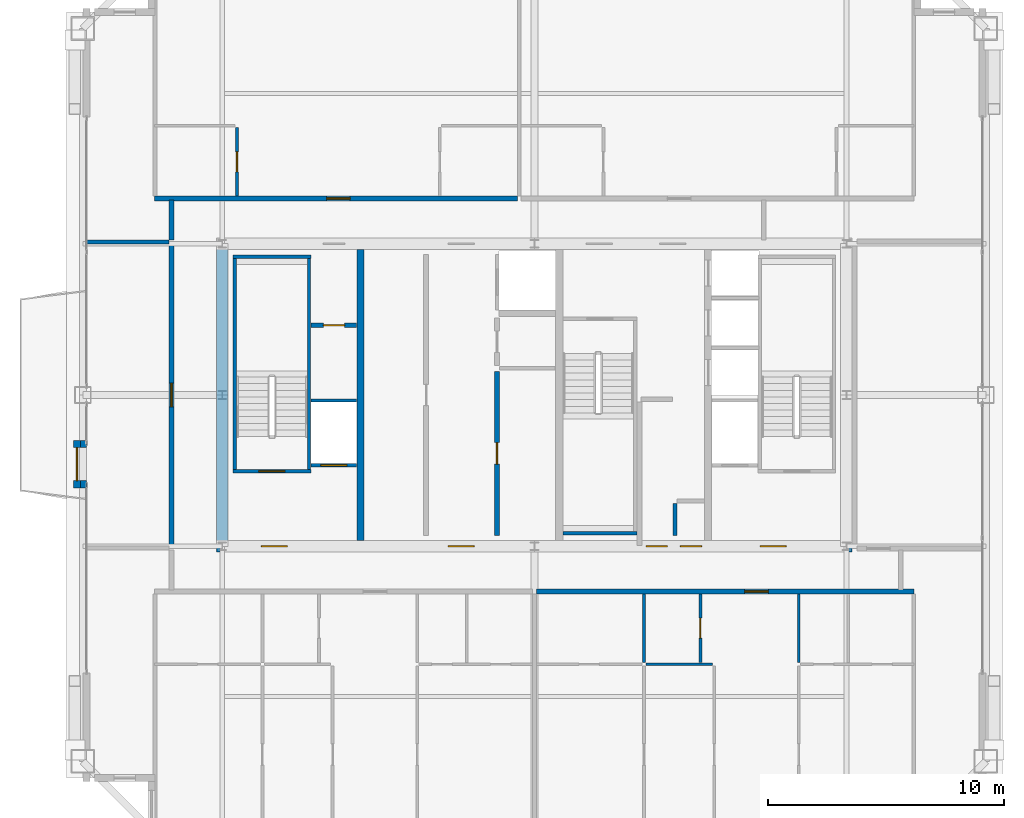
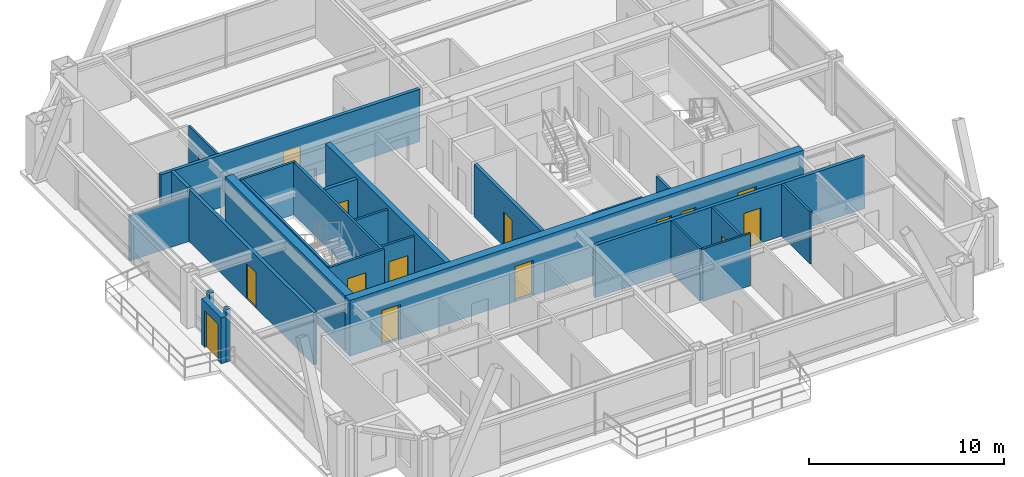
# One storey, part 29 of 33: 26 walls, 15 doors, 15 openings.
"""IFC4 building model written with IfcOpenShell, lengths in metres."""

from ifc_helpers import new_model, si_unit, direction, frame, frame_2d, origin, place, context, subcontext, project, spatial, rectangle, extrude, source, transform, mapped, material, layer, layer_set, type_object, element, fill, save


model = new_model("IFC4")

# Units and contexts
model_context = context("Model", 3, precision=1e-05, world=origin(), true_north=direction((0.0, 1.0)))
body_context = subcontext(model_context, "Body", "Model", "MODEL_VIEW")
ifc_project = project(units=[si_unit("LENGTHUNIT", "METRE"), si_unit("AREAUNIT", "SQUARE_METRE"), si_unit("VOLUMEUNIT", "CUBIC_METRE"), si_unit("PLANEANGLEUNIT", "RADIAN"), si_unit("MASSUNIT", "GRAM", prefix="KILO"), si_unit("THERMODYNAMICTEMPERATUREUNIT", "KELVIN"), si_unit("POWERUNIT", "WATT")], contexts=[model_context])

# Site, building, storey
site_placement = place(None, origin())
site = spatial("IfcSite", under=ifc_project, at=site_placement, CompositionType="ELEMENT")
building_placement = place(site_placement, origin())
building = spatial("IfcBuilding", under=site, at=building_placement, Name="Yuzanri Waterfront Tower", CompositionType="ELEMENT")
storey_placement = place(building_placement, frame((0.0, 0.0, 321.699951171875)))
storey = spatial("IfcBuildingStorey", under=building, at=storey_placement, Name="L86", CompositionType="ELEMENT", Elevation=321.699951171875)

# Wall, opening, door
ifc_material_1 = material(Name="Moisture-Resistant Gypsum Stud Wall", Category="gypsum")
ifc_layer_1 = layer(ifc_material_1, 0.1201171875)
ifc_layer_set_1 = layer_set([ifc_layer_1], Name="Moisture-Resistant Gypsum Stud Wall")
wall_type_1 = type_object("IfcWallType", Name="Bathroom and Kitchen Wet Partition 120", PredefinedType="PARTITIONING", material=ifc_layer_set_1)
wall_1_placement = place(storey_placement, frame((44.02197265625, 14.489990234375, 0.0), z_axis=(0.0, 0.0, 1.0), x_axis=(0.0, 1.0, 0.0)))
wall_1 = element("IfcWall", 1, at=wall_1_placement, inside=storey, type_object=wall_type_1, Name="L86 Partition UW-L86-HS2-SUB-2-E", PredefinedType="PARTITIONING", context=body_context, shape_type="SweptSolid", body=[
    extrude(rectangle(XDim=2.89990234375, YDim=0.1201171875, at=frame_2d((1.449951171875, 0.0))), origin(), (0.0, 0.0, 1.0), 3.280029296875),
])
opening_1_placement = place(wall_1_placement, frame((1.02490234375, 0.0, 0.0)))
opening_1 = element("IfcOpeningElement", 2, at=opening_1_placement, cuts=wall_1, Name="Opening ID-0850", PredefinedType="OPENING", context=body_context, shape_type="SweptSolid", body=[
    extrude(rectangle(XDim=0.85009765625, YDim=2.10009765625, at=frame_2d((0.425048828125, 1.050048828125))), frame((0.0, 0.074951171875, 0.0), z_axis=(0.0, -1.0, 0.0), x_axis=(1.0, 0.0, 0.0)), (0.0, 0.0, 1.0), 0.14990234375),
])
ifc_material_2 = material(Name="Moisture-Resistant Lacquered Timber", Category="wood")
door_type_1 = type_object("IfcDoorType", Name="En-Suite Bathroom and Kitchen Swing Door 850x2100", OperationType="NOTDEFINED", PredefinedType="DOOR", material=ifc_material_2)
shared_shape_1 = source(origin(), body_context, "Body", "SweptSolid", [
    extrude(rectangle(XDim=0.85009765625, YDim=2.10009765625, at=frame_2d((0.425048828125, 1.050048828125))), frame((0.0, 0.02490234375, 0.0), z_axis=(0.0, -1.0, 0.0), x_axis=(1.0, 0.0, 0.0)), (0.0, 0.0, 1.0), 0.050048828125),
])
door_1_placement = place(opening_1_placement, origin())
door_1 = element("IfcDoor", 3, at=door_1_placement, inside=storey, type_object=door_type_1, Name="L86 Suite Interior Room Door", OperationType="SINGLE_SWING_RIGHT", OverallHeight=2.10009765625, OverallWidth=0.85009765625, PredefinedType="DOOR", context=body_context, shape_type="MappedRepresentation", body=[
    mapped(shared_shape_1, transform((0.0, 0.0, 0.0), scale=1.0)),
])
fill(opening_1, door_1)

wall_2_placement = place(storey_placement, frame((24.419921875, 34.2099609375, 0.0), z_axis=(0.0, 0.0, 1.0), x_axis=(0.0, 1.0, 0.0)))
wall_2 = element("IfcWall", 4, at=wall_2_placement, inside=storey, type_object=wall_type_1, Name="L86 Partition UW-L86-HN1-SUB-1-E", PredefinedType="PARTITIONING", context=body_context, shape_type="SweptSolid", body=[
    extrude(rectangle(XDim=2.900146484375, YDim=0.1201171875, at=frame_2d((1.4501953125, 0.0))), origin(), (0.0, 0.0, 1.0), 3.280029296875),
])
opening_2_placement = place(wall_2_placement, frame((1.02490234375, 0.0, 0.0)))
opening_2 = element("IfcOpeningElement", 5, at=opening_2_placement, cuts=wall_2, Name="Opening ID-0850", PredefinedType="OPENING", context=body_context, shape_type="SweptSolid", body=[
    extrude(rectangle(XDim=0.85009765625, YDim=2.10009765625, at=frame_2d((0.425048828125, 1.050048828125))), frame((0.0, 0.074951171875, 0.0), z_axis=(0.0, -1.0, 0.0), x_axis=(1.0, 0.0, 0.0)), (0.0, 0.0, 1.0), 0.14990234375),
])
door_2_placement = place(opening_2_placement, origin())
door_2 = element("IfcDoor", 6, at=door_2_placement, inside=storey, type_object=door_type_1, Name="L86 Suite Interior Room Door", OperationType="SINGLE_SWING_LEFT", OverallHeight=2.10009765625, OverallWidth=0.85009765625, PredefinedType="DOOR", context=body_context, shape_type="MappedRepresentation", body=[
    mapped(shared_shape_1, transform((0.0, 0.0, 0.0), scale=1.0)),
])
fill(opening_2, door_2)

ifc_material_3 = material(Name="Honed Chongqing Dark Basalt Stone", Category="masonry")
ifc_layer_2 = layer(ifc_material_3, 0.300048828125)
ifc_layer_set_2 = layer_set([ifc_layer_2], Name="Honed Chongqing Dark Basalt Stone")
wall_type_2 = type_object("IfcWallType", Name="Bronze Rainscreen Insulated Spandrel Portal Wall 300", PredefinedType="SOLIDWALL", material=ifc_layer_set_2)
wall_3_placement = place(storey_placement, frame((17.64990234375, 21.875, 0.0), z_axis=(0.0, 0.0, 1.0), x_axis=(0.0, 1.0, 0.0)))
wall_3 = element("IfcWall", 7, at=wall_3_placement, inside=storey, type_object=wall_type_2, Name="L86 W Terrace Door Portal Wall", PredefinedType="SOLIDWALL", context=body_context, shape_type="SweptSolid", body=[
    extrude(rectangle(XDim=2.0, YDim=0.300048828125, at=frame_2d((1.0, 0.0))), origin(), (0.0, 0.0, 1.0), 2.885009765625),
])
opening_3_placement = place(wall_3_placement, frame((0.300048828125, 0.0, 0.0)))
opening_3 = element("IfcOpeningElement", 8, at=opening_3_placement, cuts=wall_3, Name="Opening TD-1400", PredefinedType="OPENING", context=body_context, shape_type="SweptSolid", body=[
    extrude(rectangle(XDim=1.39990234375, YDim=2.300048828125, at=frame_2d((0.699951171875, 1.14990234375))), frame((0.0, 0.1650390625, 0.0), z_axis=(0.0, -1.0, 0.0), x_axis=(1.0, 0.0, 0.0)), (0.0, 0.0, 1.0), 0.329833984375),
])
ifc_material_4 = material(Name="Anodized Architectural Bronze", Category="metal")
door_type_2 = type_object("IfcDoorType", Name="Anodized Bronze Balcony and Terrace Glazed Double Door 1400x2300", OperationType="NOTDEFINED", PredefinedType="DOOR", material=ifc_material_4)
shared_shape_2 = source(origin(), body_context, "Body", "SweptSolid", [
    extrude(rectangle(XDim=1.39990234375, YDim=2.300048828125, at=frame_2d((0.699951171875, 1.14990234375))), frame((0.0, 0.02490234375, 0.0), z_axis=(0.0, -1.0, 0.0), x_axis=(1.0, 0.0, 0.0)), (0.0, 0.0, 1.0), 0.050048828125),
])
door_3_placement = place(opening_3_placement, origin())
door_3 = element("IfcDoor", 9, at=door_3_placement, inside=storey, type_object=door_type_2, Name="L86 W Terrace Glazed Double Door", OperationType="DOUBLE_DOOR_SINGLE_SWING", OverallHeight=2.300048828125, OverallWidth=1.39990234375, PredefinedType="DOOR", context=body_context, shape_type="MappedRepresentation", body=[
    mapped(shared_shape_2, transform((0.0, 0.0, 0.0), scale=1.0)),
])
fill(opening_3, door_3)

# Wall, openings, doors
ifc_material_5 = material(Name="Concrete C45", Category="concrete")
ifc_layer_3 = layer(ifc_material_5, 0.47998046875)
ifc_layer_set_3 = layer_set([ifc_layer_3], Name="Concrete C45")
wall_type_3 = type_object("IfcWallType", Name="Concrete C45 High-Rise Core Shear Wall 480", PredefinedType="SHEAR", material=ifc_layer_set_3)
wall_4_placement = place(storey_placement, frame((23.56005859375, 19.39990234375, 0.0), z_axis=(0.0, 0.0, 1.0), x_axis=(1.0, 0.0, 0.0)))
wall_4 = element("IfcWall", 10, at=wall_4_placement, inside=storey, type_object=wall_type_3, Name="L86 Core South Shear Wall", PredefinedType="SHEAR", context=body_context, shape_type="SweptSolid", body=[
    extrude(rectangle(XDim=26.8798828125, YDim=0.47998046875, at=frame_2d((13.43994140625, 0.0))), origin(), (0.0, 0.0, 1.0), 3.5),
])
opening_4_placement = place(wall_4_placement, frame((1.889892578125, 0.0, 0.0)))
opening_4 = element("IfcOpeningElement", 11, at=opening_4_placement, cuts=wall_4, Name="Opening FD-1100", PredefinedType="OPENING", context=body_context, shape_type="SweptSolid", body=[
    extrude(rectangle(XDim=1.10009765625, YDim=2.199951171875, at=frame_2d((0.550048828125, 1.10009765625))), frame((0.0, 0.2548828125, 0.0), z_axis=(0.0, -1.0, 0.0), x_axis=(1.0, 0.0, 0.0)), (0.0, 0.0, 1.0), 0.509765625),
])
opening_5_placement = place(wall_4_placement, frame((9.7900390625, 0.0, 0.0)))
opening_5 = element("IfcOpeningElement", 12, at=opening_5_placement, cuts=wall_4, Name="Opening FD-1100", PredefinedType="OPENING", context=body_context, shape_type="SweptSolid", body=[
    extrude(rectangle(XDim=1.10009765625, YDim=2.199951171875, at=frame_2d((0.550048828125, 1.10009765625))), frame((0.0, 0.2548828125, 0.0), z_axis=(0.0, -1.0, 0.0), x_axis=(1.0, 0.0, 0.0)), (0.0, 0.0, 1.0), 0.509765625),
])
opening_6_placement = place(wall_4_placement, frame((22.989990234375, 0.0, 0.0)))
opening_6 = element("IfcOpeningElement", 13, at=opening_6_placement, cuts=wall_4, Name="Opening FD-1100", PredefinedType="OPENING", context=body_context, shape_type="SweptSolid", body=[
    extrude(rectangle(XDim=1.10009765625, YDim=2.199951171875, at=frame_2d((0.550048828125, 1.10009765625))), frame((0.0, 0.2548828125, 0.0), z_axis=(0.0, -1.0, 0.0), x_axis=(1.0, 0.0, 0.0)), (0.0, 0.0, 1.0), 0.509765625),
])
opening_7_placement = place(wall_4_placement, frame((19.610107421875, 0.0, 0.0)))
opening_7 = element("IfcOpeningElement", 14, at=opening_7_placement, cuts=wall_4, Name="Opening FD-0900", PredefinedType="OPENING", context=body_context, shape_type="SweptSolid", body=[
    extrude(rectangle(XDim=0.89990234375, YDim=2.14990234375, at=frame_2d((0.449951171875, 1.074951171875))), frame((0.0, 0.2548828125, 0.0), z_axis=(0.0, -1.0, 0.0), x_axis=(1.0, 0.0, 0.0)), (0.0, 0.0, 1.0), 0.509765625),
])
opening_8_placement = place(wall_4_placement, frame((18.169921875, 0.0, 0.0)))
opening_8 = element("IfcOpeningElement", 15, at=opening_8_placement, cuts=wall_4, Name="Opening FD-0900", PredefinedType="OPENING", context=body_context, shape_type="SweptSolid", body=[
    extrude(rectangle(XDim=0.89990234375, YDim=2.14990234375, at=frame_2d((0.449951171875, 1.074951171875))), frame((0.0, 0.2548828125, 0.0), z_axis=(0.0, -1.0, 0.0), x_axis=(1.0, 0.0, 0.0)), (0.0, 0.0, 1.0), 0.509765625),
])
ifc_material_6 = material(Name="Painted Galvanized Fire Steel", Category="steel")
door_type_3 = type_object("IfcDoorType", Name="Smoke-Proof Stair and Lobby Fire Door 1100x2200", OperationType="NOTDEFINED", PredefinedType="DOOR", material=ifc_material_6)
shared_shape_3 = source(origin(), body_context, "Body", "SweptSolid", [
    extrude(rectangle(XDim=1.10009765625, YDim=2.199951171875, at=frame_2d((0.550048828125, 1.10009765625))), frame((0.0, 0.02490234375, 0.0), z_axis=(0.0, -1.0, 0.0), x_axis=(1.0, 0.0, 0.0)), (0.0, 0.0, 1.0), 0.050048828125),
])
door_4_placement = place(opening_4_placement, origin())
door_4 = element("IfcDoor", 16, at=door_4_placement, inside=storey, type_object=door_type_3, Name="L86 West Firefighting Lobby Door", OperationType="SINGLE_SWING_LEFT", OverallHeight=2.199951171875, OverallWidth=1.10009765625, PredefinedType="DOOR", context=body_context, shape_type="MappedRepresentation", body=[
    mapped(shared_shape_3, transform((0.0, 0.0, 0.0), scale=1.0)),
])
fill(opening_4, door_4)
door_5_placement = place(opening_5_placement, origin())
door_5 = element("IfcDoor", 17, at=door_5_placement, inside=storey, type_object=door_type_3, Name="L86 Central Lift Lobby South Door", OperationType="SINGLE_SWING_RIGHT", OverallHeight=2.199951171875, OverallWidth=1.10009765625, PredefinedType="DOOR", context=body_context, shape_type="MappedRepresentation", body=[
    mapped(shared_shape_3, transform((0.0, 0.0, 0.0), scale=1.0)),
])
fill(opening_5, door_5)
door_6_placement = place(opening_6_placement, origin())
door_6 = element("IfcDoor", 18, at=door_6_placement, inside=storey, type_object=door_type_3, Name="L86 East Firefighting Lobby Door", OperationType="SINGLE_SWING_LEFT", OverallHeight=2.199951171875, OverallWidth=1.10009765625, PredefinedType="DOOR", context=body_context, shape_type="MappedRepresentation", body=[
    mapped(shared_shape_3, transform((0.0, 0.0, 0.0), scale=1.0)),
])
fill(opening_6, door_6)
ifc_material_7 = material(Name="Painted Galvanized Fire Steel", Category="steel")
door_type_4 = type_object("IfcDoorType", Name="Riser and Service Room Fire Door 900x2150", OperationType="NOTDEFINED", PredefinedType="DOOR", material=ifc_material_7)
shared_shape_4 = source(origin(), body_context, "Body", "SweptSolid", [
    extrude(rectangle(XDim=0.89990234375, YDim=2.14990234375, at=frame_2d((0.449951171875, 1.074951171875))), frame((0.0, 0.02490234375, 0.0), z_axis=(0.0, -1.0, 0.0), x_axis=(1.0, 0.0, 0.0)), (0.0, 0.0, 1.0), 0.050048828125),
])
door_7_placement = place(opening_7_placement, origin())
door_7 = element("IfcDoor", 19, at=door_7_placement, inside=storey, type_object=door_type_4, Name="L86 East Wet Riser Door", OperationType="SINGLE_SWING_RIGHT", OverallHeight=2.14990234375, OverallWidth=0.89990234375, PredefinedType="DOOR", context=body_context, shape_type="MappedRepresentation", body=[
    mapped(shared_shape_4, transform((0.0, 0.0, 0.0), scale=1.0)),
])
fill(opening_7, door_7)
door_8_placement = place(opening_8_placement, origin())
door_8 = element("IfcDoor", 20, at=door_8_placement, inside=storey, type_object=door_type_4, Name="L86 Cleaners Store Room", OperationType="SINGLE_SWING_LEFT", OverallHeight=2.14990234375, OverallWidth=0.89990234375, PredefinedType="DOOR", context=body_context, shape_type="MappedRepresentation", body=[
    mapped(shared_shape_4, transform((0.0, 0.0, 0.0), scale=1.0)),
])
fill(opening_8, door_8)

# Wall, opening, door
ifc_material_8 = material(Name="Concrete C40", Category="concrete")
ifc_layer_4 = layer(ifc_material_8, 0.139892578125)
ifc_layer_set_4 = layer_set([ifc_layer_4], Name="Concrete C40")
wall_type_4 = type_object("IfcWallType", Name="Core Stair Liner and Hoistway Shaft Wall 140", PredefinedType="SOLIDWALL", material=ifc_layer_set_4)
wall_5_placement = place(storey_placement, frame((27.56005859375, 22.830078125, 0.0), z_axis=(0.0, 0.0, 1.0), x_axis=(1.0, 0.0, 0.0)))
wall_5 = element("IfcWall", 21, at=wall_5_placement, inside=storey, type_object=wall_type_4, Name="L86 Lift FL-01 Front Shaft Wall", PredefinedType="SOLIDWALL", context=body_context, shape_type="SweptSolid", body=[
    extrude(rectangle(XDim=1.919921875, YDim=0.139892578125, at=frame_2d((0.9599609375, 0.0))), origin(), (0.0, 0.0, 1.0), 3.280029296875),
])
opening_9_placement = place(wall_5_placement, frame((0.409912109375, 0.0, 0.0)))
opening_9 = element("IfcOpeningElement", 22, at=opening_9_placement, cuts=wall_5, Name="Opening LD-FL-01", PredefinedType="OPENING", context=body_context, shape_type="SweptSolid", body=[
    extrude(rectangle(XDim=1.10009765625, YDim=2.199951171875, at=frame_2d((0.550048828125, 1.10009765625))), frame((0.0, 0.0849609375, 0.0), z_axis=(0.0, -1.0, 0.0), x_axis=(1.0, 0.0, 0.0)), (0.0, 0.0, 1.0), 0.169677734375),
])
ifc_material_9 = material(Name="Brushed Bronze and Stainless Steel Cab", Category="steel")
door_type_5 = type_object("IfcDoorType", Name="Center-Parting Bronze Lift Landing Sliding Door 1100x2200", OperationType="NOTDEFINED", PredefinedType="DOOR", material=ifc_material_9)
shared_shape_5 = source(origin(), body_context, "Body", "SweptSolid", [
    extrude(rectangle(XDim=1.10009765625, YDim=2.199951171875, at=frame_2d((0.550048828125, 1.10009765625))), frame((0.0, 0.02490234375, 0.0), z_axis=(0.0, -1.0, 0.0), x_axis=(1.0, 0.0, 0.0)), (0.0, 0.0, 1.0), 0.050048828125),
])
door_9_placement = place(opening_9_placement, origin())
door_9 = element("IfcDoor", 23, at=door_9_placement, inside=storey, type_object=door_type_5, Name="L86 FL-01 Lift Landing Sliding Door", OperationType="SLIDING_TO_LEFT", OverallHeight=2.199951171875, OverallWidth=1.10009765625, PredefinedType="DOOR", context=body_context, shape_type="MappedRepresentation", body=[
    mapped(shared_shape_5, transform((0.0, 0.0, 0.0), scale=1.0)),
])
fill(opening_9, door_9)

wall_6_placement = place(storey_placement, frame((24.260009765625, 22.570068359375, 0.0), z_axis=(0.0, 0.0, 1.0), x_axis=(1.0, 0.0, 0.0)))
wall_6 = element("IfcWall", 24, at=wall_6_placement, inside=storey, type_object=wall_type_4, Name="L86 Shaft Wall STW-L86-ST-01-S", PredefinedType="SOLIDWALL", context=body_context, shape_type="SweptSolid", body=[
    extrude(rectangle(XDim=3.280029296875, YDim=0.139892578125, at=frame_2d((1.64013671875, 0.0))), origin(), (0.0, 0.0, 1.0), 3.280029296875),
])
opening_10_placement = place(wall_6_placement, frame((1.090087890625, 0.0, 0.0)))
opening_10 = element("IfcOpeningElement", 25, at=opening_10_placement, cuts=wall_6, Name="Opening FD-1100", PredefinedType="OPENING", context=body_context, shape_type="SweptSolid", body=[
    extrude(rectangle(XDim=1.10009765625, YDim=2.199951171875, at=frame_2d((0.550048828125, 1.10009765625))), frame((0.0, 0.0849609375, 0.0), z_axis=(0.0, -1.0, 0.0), x_axis=(1.0, 0.0, 0.0)), (0.0, 0.0, 1.0), 0.169677734375),
])
door_10_placement = place(opening_10_placement, origin())
door_10 = element("IfcDoor", 26, at=door_10_placement, inside=storey, type_object=door_type_3, Name="L86 Stair ST-01 Fire Door", OperationType="SINGLE_SWING_RIGHT", OverallHeight=2.199951171875, OverallWidth=1.10009765625, PredefinedType="DOOR", context=body_context, shape_type="MappedRepresentation", body=[
    mapped(shared_shape_3, transform((0.0, 0.0, 0.0), scale=1.0)),
])
fill(opening_10, door_10)

ifc_material_10 = material(Name="Autoclaved Aerated Concrete Blockwork", Category="masonry")
ifc_layer_5 = layer(ifc_material_10, 0.199951171875)
ifc_layer_set_5 = layer_set([ifc_layer_5], Name="Autoclaved Aerated Concrete Blockwork")
wall_type_5 = type_object("IfcWallType", Name="Corridor and Unit Party Fire Wall 200", PredefinedType="PARTITIONING", material=ifc_layer_set_5)
wall_7_placement = place(storey_placement, frame((27.56005859375, 28.75, 0.0), z_axis=(0.0, 0.0, 1.0), x_axis=(1.0, 0.0, 0.0)))
wall_7 = element("IfcWall", 27, at=wall_7_placement, inside=storey, type_object=wall_type_5, Name="L86 Partition CRW-L86-ERTR", PredefinedType="PARTITIONING", context=body_context, shape_type="SweptSolid", body=[
    extrude(rectangle(XDim=1.919921875, YDim=0.199951171875, at=frame_2d((0.9599609375, 0.0))), origin(), (0.0, 0.0, 1.0), 3.280029296875),
])
opening_11_placement = place(wall_7_placement, frame((0.510009765625, 0.0, 0.0)))
opening_11 = element("IfcOpeningElement", 28, at=opening_11_placement, cuts=wall_7, Name="Opening FD-0900", PredefinedType="OPENING", context=body_context, shape_type="SweptSolid", body=[
    extrude(rectangle(XDim=0.89990234375, YDim=2.14990234375, at=frame_2d((0.449951171875, 1.074951171875))), frame((0.0, 0.11474609375, 0.0), z_axis=(0.0, -1.0, 0.0), x_axis=(1.0, 0.0, 0.0)), (0.0, 0.0, 1.0), 0.229736328125),
])
door_11_placement = place(opening_11_placement, origin())
door_11 = element("IfcDoor", 29, at=door_11_placement, inside=storey, type_object=door_type_4, Name="L86 Electrical Riser Door", OperationType="SINGLE_SWING_RIGHT", OverallHeight=2.14990234375, OverallWidth=0.89990234375, PredefinedType="DOOR", context=body_context, shape_type="MappedRepresentation", body=[
    mapped(shared_shape_4, transform((0.0, 0.0, 0.0), scale=1.0)),
])
fill(opening_11, door_11)

wall_8_placement = place(storey_placement, frame((35.419921875, 19.860107421875, 0.0), z_axis=(0.0, 0.0, 1.0), x_axis=(0.0, 1.0, 0.0)))
wall_8 = element("IfcWall", 30, at=wall_8_placement, inside=storey, type_object=wall_type_5, Name="L86 Partition CRW-L86-B2R-1", PredefinedType="PARTITIONING", context=body_context, shape_type="SweptSolid", body=[
    extrude(rectangle(XDim=6.93994140625, YDim=0.199951171875, at=frame_2d((3.469970703125, 0.0))), origin(), (0.0, 0.0, 1.0), 3.280029296875),
])
opening_12_placement = place(wall_8_placement, frame((3.02001953125, 0.0, 0.0)))
opening_12 = element("IfcOpeningElement", 31, at=opening_12_placement, cuts=wall_8, Name="Opening FD-0900", PredefinedType="OPENING", context=body_context, shape_type="SweptSolid", body=[
    extrude(rectangle(XDim=0.89990234375, YDim=2.14990234375, at=frame_2d((0.449951171875, 1.074951171875))), frame((0.0, 0.11474609375, 0.0), z_axis=(0.0, -1.0, 0.0), x_axis=(1.0, 0.0, 0.0)), (0.0, 0.0, 1.0), 0.229736328125),
])
door_12_placement = place(opening_12_placement, origin())
door_12 = element("IfcDoor", 32, at=door_12_placement, inside=storey, type_object=door_type_4, Name="L86 East Common Store Room", OperationType="SINGLE_SWING_RIGHT", OverallHeight=2.14990234375, OverallWidth=0.89990234375, PredefinedType="DOOR", context=body_context, shape_type="MappedRepresentation", body=[
    mapped(shared_shape_4, transform((0.0, 0.0, 0.0), scale=1.0)),
])
fill(opening_12, door_12)

wall_9_placement = place(storey_placement, frame((37.080078125, 17.489990234375, 0.0), z_axis=(0.0, 0.0, 1.0), x_axis=(1.0, 0.0, 0.0)))
wall_9 = element("IfcWall", 33, at=wall_9_placement, inside=storey, type_object=wall_type_5, Name="L86 Partition UW-L86-HS2-CN", PredefinedType="PARTITIONING", context=body_context, shape_type="SweptSolid", body=[
    extrude(rectangle(XDim=15.97998046875, YDim=0.199951171875, at=frame_2d((7.989990234375, 0.0))), origin(), (0.0, 0.0, 1.0), 3.280029296875),
])
opening_13_placement = place(wall_9_placement, frame((8.81591796875, 0.0, 0.0)))
opening_13 = element("IfcOpeningElement", 34, at=opening_13_placement, cuts=wall_9, Name="Opening FD-1000", PredefinedType="OPENING", context=body_context, shape_type="SweptSolid", body=[
    extrude(rectangle(XDim=1.0, YDim=2.199951171875, at=frame_2d((0.5, 1.10009765625))), frame((0.0, 0.11474609375, 0.0), z_axis=(0.0, -1.0, 0.0), x_axis=(1.0, 0.0, 0.0)), (0.0, 0.0, 1.0), 0.229736328125),
])
ifc_material_11 = material(Name="Engineered Oak Fire-Rated Timber", Category="wood")
door_type_6 = type_object("IfcDoorType", Name="Guestroom and Apartment Entrance Fire Door 1000x2200", OperationType="NOTDEFINED", PredefinedType="DOOR", material=ifc_material_11)
shared_shape_6 = source(origin(), body_context, "Body", "SweptSolid", [
    extrude(rectangle(XDim=1.0, YDim=2.199951171875, at=frame_2d((0.5, 1.10009765625))), frame((0.0, 0.02490234375, 0.0), z_axis=(0.0, -1.0, 0.0), x_axis=(1.0, 0.0, 0.0)), (0.0, 0.0, 1.0), 0.050048828125),
])
door_13_placement = place(opening_13_placement, origin())
door_13 = element("IfcDoor", 35, at=door_13_placement, inside=storey, type_object=door_type_6, Name="L86 Apartment Living and Dining Salon Entrance Door", OperationType="SINGLE_SWING_RIGHT", OverallHeight=2.199951171875, OverallWidth=1.0, PredefinedType="DOOR", context=body_context, shape_type="MappedRepresentation", body=[
    mapped(shared_shape_6, transform((0.0, 0.0, 0.0), scale=1.0)),
])
fill(opening_13, door_13)

wall_10_placement = place(storey_placement, frame((20.93994140625, 34.110107421875, 0.0), z_axis=(0.0, 0.0, 1.0), x_axis=(1.0, 0.0, 0.0)))
wall_10 = element("IfcWall", 36, at=wall_10_placement, inside=storey, type_object=wall_type_5, Name="L86 Partition UW-L86-HN1-CS", PredefinedType="PARTITIONING", context=body_context, shape_type="SweptSolid", body=[
    extrude(rectangle(XDim=15.338134765625, YDim=0.199951171875, at=frame_2d((7.6689453125, 0.0))), origin(), (0.0, 0.0, 1.0), 3.280029296875),
])
opening_14_placement = place(wall_10_placement, frame((7.26904296875, 0.0, 0.0)))
opening_14 = element("IfcOpeningElement", 37, at=opening_14_placement, cuts=wall_10, Name="Opening FD-1000", PredefinedType="OPENING", context=body_context, shape_type="SweptSolid", body=[
    extrude(rectangle(XDim=1.0, YDim=2.199951171875, at=frame_2d((0.5, 1.10009765625))), frame((0.0, 0.11474609375, 0.0), z_axis=(0.0, -1.0, 0.0), x_axis=(1.0, 0.0, 0.0)), (0.0, 0.0, 1.0), 0.229736328125),
])
door_14_placement = place(opening_14_placement, origin())
door_14 = element("IfcDoor", 38, at=door_14_placement, inside=storey, type_object=door_type_6, Name="L86 Studio Living and Sleeping Room Entrance Door", OperationType="SINGLE_SWING_RIGHT", OverallHeight=2.199951171875, OverallWidth=1.0, PredefinedType="DOOR", context=body_context, shape_type="MappedRepresentation", body=[
    mapped(shared_shape_6, transform((0.0, 0.0, 0.0), scale=1.0)),
])
fill(opening_14, door_14)

wall_11_placement = place(storey_placement, frame((21.64990234375, 19.409912109375, 0.0), z_axis=(0.0, 0.0, 1.0), x_axis=(0.0, 1.0, 0.0)))
wall_11 = element("IfcWall", 39, at=wall_11_placement, inside=storey, type_object=wall_type_5, Name="L86 Partition UW-L86-041-CW", PredefinedType="PARTITIONING", context=body_context, shape_type="SweptSolid", body=[
    extrude(rectangle(XDim=12.780029296875, YDim=0.199951171875, at=frame_2d((6.39013671875, 0.0))), origin(), (0.0, 0.0, 1.0), 3.280029296875),
])
opening_15_placement = place(wall_11_placement, frame((5.889892578125, 0.0, 0.0)))
opening_15 = element("IfcOpeningElement", 40, at=opening_15_placement, cuts=wall_11, Name="Opening FD-1000", PredefinedType="OPENING", context=body_context, shape_type="SweptSolid", body=[
    extrude(rectangle(XDim=1.0, YDim=2.199951171875, at=frame_2d((0.5, 1.10009765625))), frame((0.0, 0.11474609375, 0.0), z_axis=(0.0, -1.0, 0.0), x_axis=(1.0, 0.0, 0.0)), (0.0, 0.0, 1.0), 0.229736328125),
])
door_15_placement = place(opening_15_placement, origin())
door_15 = element("IfcDoor", 41, at=door_15_placement, inside=storey, type_object=door_type_6, Name="L86 High-Rise W Boardroom Meeting Room Entrance Door", OperationType="SINGLE_SWING_RIGHT", OverallHeight=2.199951171875, OverallWidth=1.0, PredefinedType="DOOR", context=body_context, shape_type="MappedRepresentation", body=[
    mapped(shared_shape_6, transform((0.0, 0.0, 0.0), scale=1.0)),
])
fill(opening_15, door_15)

# Walls
shared_shape_7 = source(origin(), body_context, "Body", "SweptSolid", [
    extrude(rectangle(XDim=12.320068359375, YDim=0.47998046875, at=frame_2d((6.16015625, 0.0))), origin(), (0.0, 0.0, 1.0), 3.5),
])
wall_12_placement = place(storey_placement, frame((23.800048828125, 19.639892578125, 0.0), z_axis=(0.0, 0.0, 1.0), x_axis=(0.0, 1.0, 0.0)))
element("IfcWall", 42, at=wall_12_placement, inside=storey, type_object=wall_type_3, Name="L86 Core West Shear Wall", PredefinedType="SHEAR", context=body_context, shape_type="MappedRepresentation", body=[
    mapped(shared_shape_7, transform((0.0, 0.0, 0.0), scale=1.0)),
])
ifc_material_12 = material(Name="Concrete C50", Category="concrete")
ifc_layer_6 = layer(ifc_material_12, 0.300048828125)
ifc_layer_set_6 = layer_set([ifc_layer_6], Name="Concrete C50")
wall_type_6 = type_object("IfcWallType", Name="Concrete C50 Internal Core Shaft Structural Wall 300", PredefinedType="SOLIDWALL", material=ifc_layer_set_6)
shared_shape_8 = source(origin(), body_context, "Body", "SweptSolid", [
    extrude(rectangle(XDim=12.320068359375, YDim=0.300048828125, at=frame_2d((6.16015625, 0.0))), origin(), (0.0, 0.0, 1.0), 3.5),
])
wall_13_placement = place(storey_placement, frame((29.64990234375, 19.639892578125, 0.0), z_axis=(0.0, 0.0, 1.0), x_axis=(0.0, 1.0, 0.0)))
element("IfcWall", 43, at=wall_13_placement, inside=storey, type_object=wall_type_6, Name="L86 Core Internal Structural Web Wall 1", PredefinedType="SOLIDWALL", context=body_context, shape_type="MappedRepresentation", body=[
    mapped(shared_shape_8, transform((0.0, 0.0, 0.0), scale=1.0)),
])
shared_shape_9 = source(origin(), body_context, "Body", "SweptSolid", [
    extrude(rectangle(XDim=0.25, YDim=0.300048828125, at=frame_2d((0.125, 0.0))), origin(), (0.0, 0.0, 1.0), 3.280029296875),
])
for number, where, z_axis, x_axis, name in (
    (44, (18.050048828125, 22.02490234375, 0.0), (0.0, 0.0, 1.0), (-1.0, 0.0, 0.0), "L86 W Terrace Portal Left Return"),
    (45, (17.800048828125, 23.72509765625, 0.0), (0.0, 0.0, 1.0), (1.0, 0.0, 0.0), "L86 W Terrace Portal Right Return"),
):
    element("IfcWall", number, at=place(storey_placement, frame(where, z_axis=z_axis, x_axis=x_axis)), inside=storey, type_object=wall_type_2, Name=name, PredefinedType="SOLIDWALL", context=body_context, shape_type="MappedRepresentation", body=[
        mapped(shared_shape_9, transform((0.0, 0.0, 0.0), scale=1.0)),
    ])
shared_shape_10 = source(origin(), body_context, "Body", "SweptSolid", [
    extrude(rectangle(XDim=1.919921875, YDim=0.139892578125, at=frame_2d((0.9599609375, 0.0))), origin(), (0.0, 0.0, 1.0), 3.280029296875),
])
wall_14_placement = place(storey_placement, frame((27.56005859375, 25.570068359375, 0.0), z_axis=(0.0, 0.0, 1.0), x_axis=(1.0, 0.0, 0.0)))
element("IfcWall", 46, at=wall_14_placement, inside=storey, type_object=wall_type_4, Name="L86 Lift FL-01 Back Shaft Wall", PredefinedType="SOLIDWALL", context=body_context, shape_type="MappedRepresentation", body=[
    mapped(shared_shape_10, transform((0.0, 0.0, 0.0), scale=1.0)),
])
shared_shape_11 = source(origin(), body_context, "Body", "SweptSolid", [
    extrude(rectangle(XDim=3.280029296875, YDim=0.139892578125, at=frame_2d((1.64013671875, 0.0))), origin(), (0.0, 0.0, 1.0), 3.280029296875),
])
wall_15_placement = place(storey_placement, frame((24.260009765625, 31.64990234375, 0.0), z_axis=(0.0, 0.0, 1.0), x_axis=(1.0, 0.0, 0.0)))
element("IfcWall", 47, at=wall_15_placement, inside=storey, type_object=wall_type_4, Name="L86 Stair ST-01 North Shaft Wall", PredefinedType="SOLIDWALL", context=body_context, shape_type="MappedRepresentation", body=[
    mapped(shared_shape_11, transform((0.0, 0.0, 0.0), scale=1.0)),
])
shared_shape_12 = source(origin(), body_context, "Body", "SweptSolid", [
    extrude(rectangle(XDim=8.940185546875, YDim=0.139892578125, at=frame_2d((4.47021484375, 0.0))), origin(), (0.0, 0.0, 1.0), 3.280029296875),
])
for number, where, z_axis, x_axis, name in (
    (48, (24.330078125, 22.639892578125, 0.0), (0.0, 0.0, 1.0), (0.0, 1.0, 0.0), "L86 Stair ST-01 West Shaft Wall"),
    (49, (27.469970703125, 22.639892578125, 0.0), (0.0, 0.0, 1.0), (0.0, 1.0, 0.0), "L86 Stair ST-01 East Shaft Wall"),
):
    element("IfcWall", number, at=place(storey_placement, frame(where, z_axis=z_axis, x_axis=x_axis)), inside=storey, type_object=wall_type_4, Name=name, PredefinedType="SOLIDWALL", context=body_context, shape_type="MappedRepresentation", body=[
        mapped(shared_shape_12, transform((0.0, 0.0, 0.0), scale=1.0)),
    ])
shared_shape_13 = source(origin(), body_context, "Body", "SweptSolid", [
    extrude(rectangle(XDim=3.14013671875, YDim=0.139892578125, at=frame_2d((1.570068359375, 0.0))), origin(), (0.0, 0.0, 1.0), 3.280029296875),
])
wall_16_placement = place(storey_placement, frame((38.199951171875, 19.949951171875, 0.0), z_axis=(0.0, 0.0, 1.0), x_axis=(1.0, 0.0, 0.0)))
element("IfcWall", 50, at=wall_16_placement, inside=storey, type_object=wall_type_4, Name="L86 Stair ST-03 South Shaft Wall", PredefinedType="SOLIDWALL", context=body_context, shape_type="MappedRepresentation", body=[
    mapped(shared_shape_13, transform((0.0, 0.0, 0.0), scale=1.0)),
])
ifc_material_13 = material(Name="Gypsum Fireboard Acoustic Stud Wall", Category="gypsum")
ifc_layer_7 = layer(ifc_material_13, 0.159912109375)
ifc_layer_set_7 = layer_set([ifc_layer_7], Name="Gypsum Fireboard Acoustic Stud Wall")
wall_type_7 = type_object("IfcWallType", Name="Acoustic Suite Demising Partition 160", PredefinedType="PARTITIONING", material=ifc_layer_set_7)
shared_shape_14 = source(origin(), body_context, "Body", "SweptSolid", [
    extrude(rectangle(XDim=1.33984375, YDim=0.159912109375, at=frame_2d((0.669921875, 0.0))), origin(), (0.0, 0.0, 1.0), 3.280029296875),
])
wall_17_placement = place(storey_placement, frame((42.949951171875, 19.860107421875, 0.0), z_axis=(0.0, 0.0, 1.0), x_axis=(0.0, 1.0, 0.0)))
element("IfcWall", 51, at=wall_17_placement, inside=storey, type_object=wall_type_7, Name="L86 East Wet Riser West Wall", PredefinedType="PARTITIONING", context=body_context, shape_type="MappedRepresentation", body=[
    mapped(shared_shape_14, transform((0.0, 0.0, 0.0), scale=1.0)),
])
shared_shape_15 = source(origin(), body_context, "Body", "SweptSolid", [
    extrude(rectangle(XDim=3.5, YDim=0.159912109375, at=frame_2d((1.75, 0.0))), origin(), (0.0, 0.0, 1.0), 2.824951171875),
])
wall_18_placement = place(storey_placement, frame((18.050048828125, 32.27001953125, 0.0), z_axis=(0.0, 0.0, 1.0), x_axis=(1.0, 0.0, 0.0)))
element("IfcWall", 52, at=wall_18_placement, inside=storey, type_object=wall_type_7, Name="L86-041 Wing North End Wall", PredefinedType="PARTITIONING", context=body_context, shape_type="MappedRepresentation", body=[
    mapped(shared_shape_15, transform((0.0, 0.0, 0.0), scale=1.0)),
])
shared_shape_16 = source(origin(), body_context, "Body", "SweptSolid", [
    extrude(rectangle(XDim=1.699951171875, YDim=0.199951171875, at=frame_2d((0.85009765625, 0.0))), origin(), (0.0, 0.0, 1.0), 3.280029296875),
])
wall_19_placement = place(storey_placement, frame((21.64990234375, 32.35009765625, 0.0), z_axis=(0.0, 0.0, 1.0), x_axis=(0.0, 1.0, 0.0)))
element("IfcWall", 53, at=wall_19_placement, inside=storey, type_object=wall_type_5, Name="L86 North Foyer West End Wall", PredefinedType="PARTITIONING", context=body_context, shape_type="MappedRepresentation", body=[
    mapped(shared_shape_16, transform((0.0, 0.0, 0.0), scale=1.0)),
])
shared_shape_17 = source(origin(), body_context, "Body", "SweptSolid", [
    extrude(rectangle(XDim=2.89990234375, YDim=0.1201171875, at=frame_2d((1.449951171875, 0.0))), origin(), (0.0, 0.0, 1.0), 3.280029296875),
])
for number, where, z_axis, x_axis, name in (
    (54, (41.634033203125, 14.489990234375, 0.0), (0.0, 0.0, 1.0), (0.0, 1.0, 0.0), "L86 Partition UW-L86-HS2-SUB-1-E"),
    (55, (48.18603515625, 14.489990234375, 0.0), (0.0, 0.0, 1.0), (0.0, 1.0, 0.0), "L86 Partition UW-L86-HS2-SUB-4-W"),
):
    element("IfcWall", number, at=place(storey_placement, frame(where, z_axis=z_axis, x_axis=x_axis)), inside=storey, type_object=wall_type_1, Name=name, PredefinedType="PARTITIONING", context=body_context, shape_type="MappedRepresentation", body=[
        mapped(shared_shape_17, transform((0.0, 0.0, 0.0), scale=1.0)),
    ])
shared_shape_18 = source(origin(), body_context, "Body", "SweptSolid", [
    extrude(rectangle(XDim=2.811767578125, YDim=0.1201171875, at=frame_2d((1.40576171875, 0.0))), origin(), (0.0, 0.0, 1.0), 3.280029296875),
])
wall_20_placement = place(storey_placement, frame((41.714111328125, 14.409912109375, 0.0), z_axis=(0.0, 0.0, 1.0), x_axis=(1.0, 0.0, 0.0)))
element("IfcWall", 56, at=wall_20_placement, inside=storey, type_object=wall_type_1, Name="L86 Partition UW-L86-HS2-SUB-7-N", PredefinedType="PARTITIONING", context=body_context, shape_type="MappedRepresentation", body=[
    mapped(shared_shape_18, transform((0.0, 0.0, 0.0), scale=1.0)),
])

save(model, "model.ifc")
